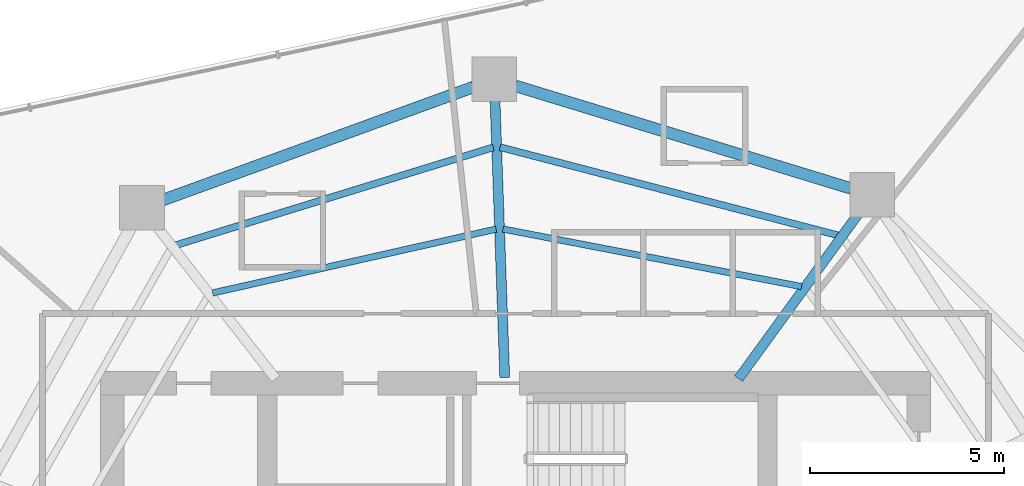
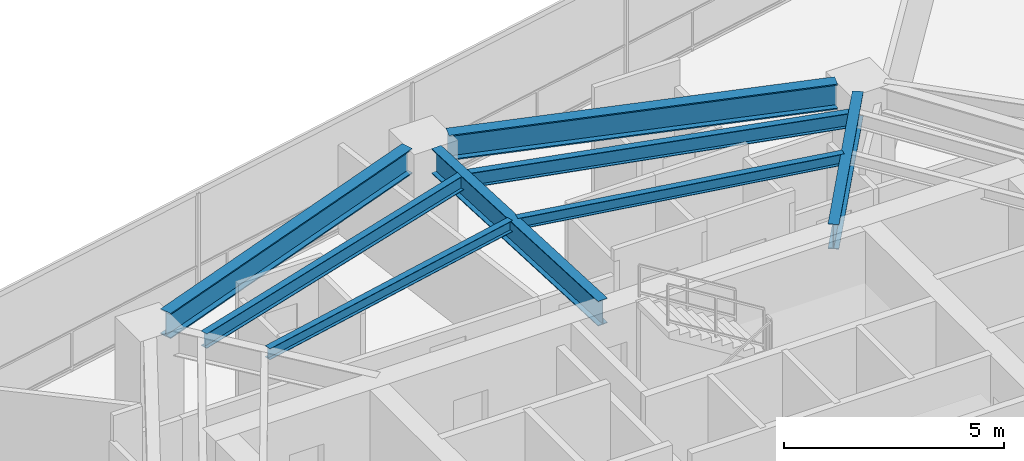
# One storey, part 16 of 27: 8 beams.
"""IFC4 building model written with IfcOpenShell, lengths in metres."""

from ifc_helpers import new_model, si_unit, direction, frame, origin, origin_2d, place, context, subcontext, project, spatial, i_section, extrude, material, material_profile, profile_set, type_object, element, save


model = new_model("IFC4")

# Units and contexts
model_context = context("Model", 3, precision=1e-05, world=origin(), true_north=direction((0.0, 1.0)))
body_context = subcontext(model_context, "Body", "Model", "MODEL_VIEW")
ifc_project = project(units=[si_unit("LENGTHUNIT", "METRE"), si_unit("AREAUNIT", "SQUARE_METRE"), si_unit("VOLUMEUNIT", "CUBIC_METRE"), si_unit("PLANEANGLEUNIT", "RADIAN"), si_unit("MASSUNIT", "GRAM", prefix="KILO")], contexts=[model_context])

# Site, building, storey
site_placement = place(None, origin())
site = spatial("IfcSite", under=ifc_project, at=site_placement, CompositionType="ELEMENT")
building_placement = place(site_placement, origin())
building = spatial("IfcBuilding", under=site, at=building_placement, Name="Qarnah Convention Tower", CompositionType="ELEMENT")
storey_placement = place(building_placement, frame((0.0, 0.0, 110.85009765625)))
storey = spatial("IfcBuildingStorey", under=building, at=storey_placement, Name="L29", CompositionType="ELEMENT", Elevation=110.85009765625)

# Beams
ifc_material = material(Name="Structural steel S355JR", Category="steel")
ifc_material_profile_1 = material_profile(ifc_material, i_section(OverallWidth=0.166015625, OverallDepth=0.31201171875, WebThickness=0.007080078125, FlangeThickness=0.010986328125, at=origin_2d()), Name="W310X45")
ifc_profile_set_1 = profile_set([ifc_material_profile_1], Name="Structural steel S355JR")
beam_type_1 = type_object("IfcBeamType", Name="BM-JST-W310", PredefinedType="JOIST", material=ifc_profile_set_1)
beam_1_placement = place(storey_placement, frame((44.580078125, 36.696044921875, 3.013916015625), z_axis=(-0.981928237513, 0.189253629755, 0.0), x_axis=(-0.189253629755, -0.981928237513, 0.0)))
element("IfcBeam", 1, at=beam_1_placement, inside=storey, type_object=beam_type_1, Name="L29 joist BM-L29-IJST-02", PredefinedType="JOIST", context=body_context, shape_type="SweptSolid", body=[
    extrude(i_section(OverallWidth=0.166015625, OverallDepth=0.31201171875, WebThickness=0.007080078125, FlangeThickness=0.010986328125, at=origin_2d()), origin(), (0.0, 0.0, 1.0), 7.845947265625),
])
beam_2_placement = place(storey_placement, frame((36.699951171875, 38.177978515625, 3.013916015625), z_axis=(-0.97555915594, -0.219736963805, 0.0), x_axis=(0.219736963805, -0.97555915594, 0.0)))
element("IfcBeam", 2, at=beam_2_placement, inside=storey, type_object=beam_type_1, Name="L29 joist BM-L29-IJST-03", PredefinedType="JOIST", context=body_context, shape_type="SweptSolid", body=[
    extrude(i_section(OverallWidth=0.166015625, OverallDepth=0.31201171875, WebThickness=0.007080078125, FlangeThickness=0.010986328125, at=origin_2d()), origin(), (0.0, 0.0, 1.0), 7.4951171875),
])
ifc_material_profile_2 = material_profile(ifc_material, i_section(OverallWidth=0.177978515625, OverallDepth=0.407958984375, WebThickness=0.008056640625, FlangeThickness=0.012939453125, at=origin_2d()), Name="W410X60")
ifc_profile_set_2 = profile_set([ifc_material_profile_2], Name="Structural steel S355JR")
beam_type_2 = type_object("IfcBeamType", Name="BM-JST-W410", PredefinedType="JOIST", material=ifc_profile_set_2)
beam_3_placement = place(storey_placement, frame((45.534912109375, 38.014892578125, 2.9658203125), z_axis=(-0.967652594239, 0.252286457944, 0.0), x_axis=(-0.252286457944, -0.967652594239, 0.0)))
element("IfcBeam", 3, at=beam_3_placement, inside=storey, type_object=beam_type_2, Name="L29 joist BM-L29-SJST-02", PredefinedType="JOIST", context=body_context, shape_type="SweptSolid", body=[
    extrude(i_section(OverallWidth=0.177978515625, OverallDepth=0.407958984375, WebThickness=0.008056640625, FlangeThickness=0.012939453125, at=origin_2d()), origin(), (0.0, 0.0, 1.0), 9.02587890625),
])
beam_4_placement = place(storey_placement, frame((36.6279296875, 40.2880859375, 2.9658203125), z_axis=(-0.955658935574, -0.294475803519, 0.0), x_axis=(0.294475803519, -0.955658935574, 0.0)))
element("IfcBeam", 4, at=beam_4_placement, inside=storey, type_object=beam_type_2, Name="L29 joist BM-L29-SJST-03", PredefinedType="JOIST", context=body_context, shape_type="SweptSolid", body=[
    extrude(i_section(OverallWidth=0.177978515625, OverallDepth=0.407958984375, WebThickness=0.008056640625, FlangeThickness=0.012939453125, at=origin_2d()), origin(), (0.0, 0.0, 1.0), 8.578369140625),
])
ifc_material_profile_3 = material_profile(ifc_material, i_section(OverallWidth=0.25390625, OverallDepth=0.68798828125, WebThickness=0.012939453125, FlangeThickness=0.02099609375, at=origin_2d()), Name="W690X152")
ifc_profile_set_3 = profile_set([ifc_material_profile_3], Name="Structural steel S355JR")
beam_type_3 = type_object("IfcBeamType", Name="BM-RAD-W690", PredefinedType="BEAM", material=ifc_profile_set_3)
beam_5_placement = place(storey_placement, frame((42.955078125, 34.321044921875, 2.825927734375), z_axis=(0.587824069471, 0.808988790621, 0.0), x_axis=(-0.808988790621, 0.587824069471, 0.0)))
element("IfcBeam", 5, at=beam_5_placement, inside=storey, type_object=beam_type_3, Name="L29 beam BM-L29-RAD-02", PredefinedType="BEAM", context=body_context, shape_type="SweptSolid", body=[
    extrude(i_section(OverallWidth=0.25390625, OverallDepth=0.68798828125, WebThickness=0.012939453125, FlangeThickness=0.02099609375, at=origin_2d()), origin(), (0.0, 0.0, 1.0), 5.30419921875),
])
beam_6_placement = place(storey_placement, frame((36.923095703125, 34.35009765625, 2.825927734375), z_axis=(-0.035017005912, 0.99938671659, 0.0), x_axis=(-0.99938671659, -0.035017005912, 0.0)))
element("IfcBeam", 6, at=beam_6_placement, inside=storey, type_object=beam_type_3, Name="L29 beam BM-L29-RAD-03", PredefinedType="BEAM", context=body_context, shape_type="SweptSolid", body=[
    extrude(i_section(OverallWidth=0.25390625, OverallDepth=0.68798828125, WebThickness=0.012939453125, FlangeThickness=0.02099609375, at=origin_2d()), origin(), (0.0, 0.0, 1.0), 7.139404296875),
])
ifc_material_profile_4 = material_profile(ifc_material, i_section(OverallWidth=0.300048828125, OverallDepth=0.699951171875, WebThickness=0.01708984375, FlangeThickness=0.031982421875, at=origin_2d()), Name="HEB700")
ifc_profile_set_4 = profile_set([ifc_material_profile_4], Name="Structural steel S355JR")
beam_type_4 = type_object("IfcBeamType", Name="BM-RING-HEB700", PredefinedType="BEAM", material=ifc_profile_set_4)
beam_7_placement = place(storey_placement, frame((45.85888671875, 39.22607421875, 2.81982421875), z_axis=(-0.956309936148, 0.292354760565, 0.0), x_axis=(-0.292354760565, -0.956309936148, 0.0)))
element("IfcBeam", 7, at=beam_7_placement, inside=storey, type_object=beam_type_4, Name="L29 beam BM-L29-SPN-02", PredefinedType="BEAM", context=body_context, shape_type="SweptSolid", body=[
    extrude(i_section(OverallWidth=0.300048828125, OverallDepth=0.699951171875, WebThickness=0.01708984375, FlangeThickness=0.031982421875, at=origin_2d()), origin(), (0.0, 0.0, 1.0), 9.060546875),
])
beam_8_placement = place(storey_placement, frame((36.123046875, 41.846923828125, 2.81982421875), z_axis=(-0.939683226771, -0.342045952067, 0.0), x_axis=(0.342045952067, -0.939683226771, 0.0)))
element("IfcBeam", 8, at=beam_8_placement, inside=storey, type_object=beam_type_4, Name="L29 beam BM-L29-SPN-03", PredefinedType="BEAM", context=body_context, shape_type="SweptSolid", body=[
    extrude(i_section(OverallWidth=0.300048828125, OverallDepth=0.699951171875, WebThickness=0.01708984375, FlangeThickness=0.031982421875, at=origin_2d()), origin(), (0.0, 0.0, 1.0), 8.542236328125),
])

save(model, "model.ifc")
